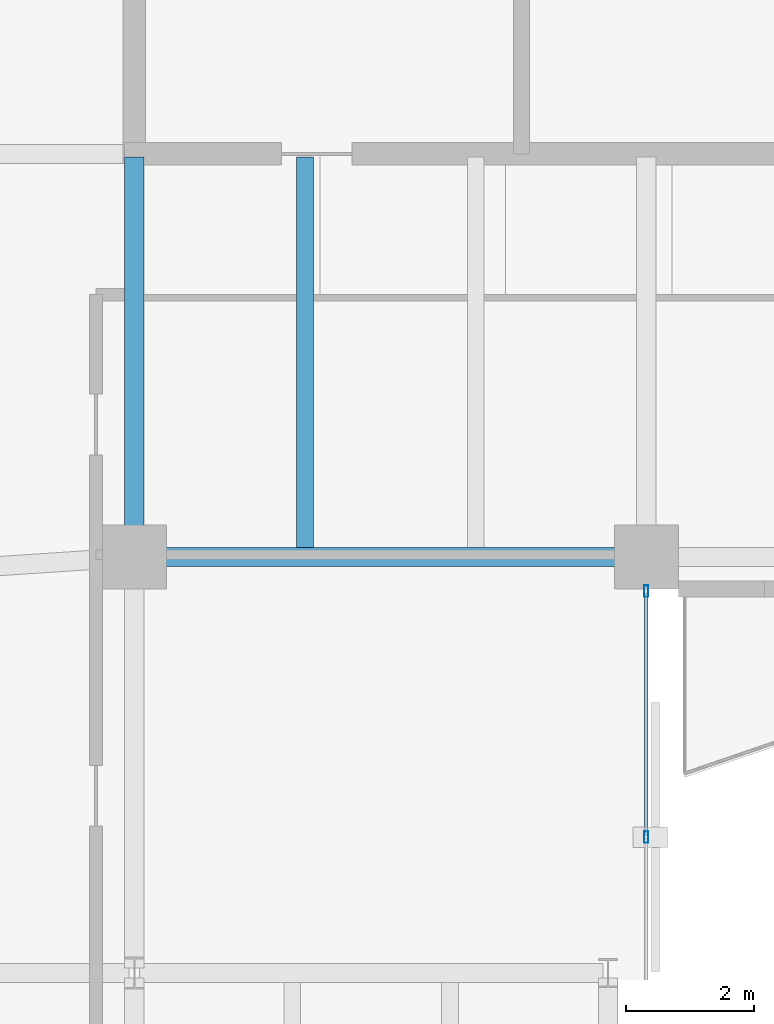
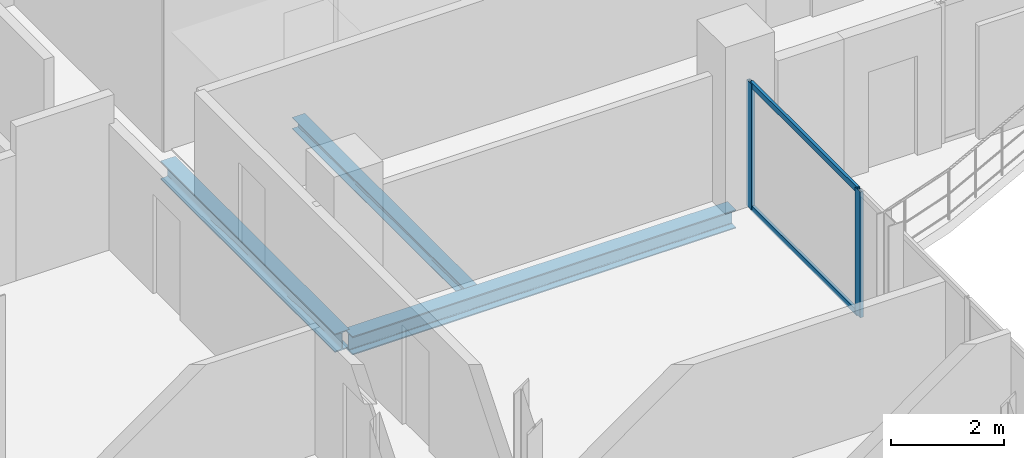
# One storey, part 10 of 23: 4 members, 3 beams, 1 element without a shape of its own.
"""IFC4 building model written with IfcOpenShell, lengths in metres."""

from ifc_helpers import new_model, si_unit, direction, frame, origin, origin_2d, place, context, subcontext, project, spatial, hollow_rectangle, i_section, extrude, material, layer, layer_set, material_profile, profile_set, type_object, element, aggregate, save


model = new_model("IFC4")

# Units and contexts
model_context = context("Model", 3, precision=1e-05, world=origin(), true_north=direction((0.0, 1.0)))
body_context = subcontext(model_context, "Body", "Model", "MODEL_VIEW")
ifc_project = project(units=[si_unit("LENGTHUNIT", "METRE"), si_unit("AREAUNIT", "SQUARE_METRE"), si_unit("VOLUMEUNIT", "CUBIC_METRE"), si_unit("PLANEANGLEUNIT", "RADIAN"), si_unit("MASSUNIT", "GRAM", prefix="KILO")], contexts=[model_context])

# Site, building, storey
site_placement = place(None, origin())
site = spatial("IfcSite", under=ifc_project, at=site_placement, CompositionType="ELEMENT")
building_placement = place(site_placement, origin())
building = spatial("IfcBuilding", under=site, at=building_placement, Name="Catumbela Crestline Tower", CompositionType="ELEMENT")
storey_placement = place(building_placement, frame((0.0, 0.0, 201.0)))
storey = spatial("IfcBuildingStorey", under=building, at=storey_placement, Name="L52", CompositionType="ELEMENT", Elevation=201.0)

# Beams
ifc_material_1 = material(Name="Structural steel S355J2", Category="steel")
ifc_material_profile_1 = material_profile(ifc_material_1, i_section(OverallWidth=0.3, OverallDepth=0.4, WebThickness=0.0135, FlangeThickness=0.024, FilletRadius=0.027, at=origin_2d()), Name="HEB 400")
ifc_profile_set_1 = profile_set([ifc_material_profile_1], Name="Structural steel S355J2")
beam_type_1 = type_object("IfcBeamType", Name="BG-HEB400", PredefinedType="BEAM", material=ifc_profile_set_1)
beam_1_placement = place(storey_placement, frame((16.08, 24.5, -0.46), z_axis=(1.0, 0.0, 0.0), x_axis=(0.0, 1.0, 0.0)))
element("IfcBeam", 1, at=beam_1_placement, inside=storey, type_object=beam_type_1, Name="L52 Beam BM-L52-S03", PredefinedType="BEAM", context=body_context, shape_type="SweptSolid", body=[
    extrude(i_section(OverallWidth=0.3, OverallDepth=0.4, WebThickness=0.0135, FlangeThickness=0.024, FilletRadius=0.027, at=origin_2d()), origin(), (0.0, 0.0, 1.0), 7.84),
])
beam_2_placement = place(storey_placement, frame((16.0, 24.58, -0.46), z_axis=(0.0, 1.0, 0.0), x_axis=(-1.0, 0.0, 0.0)))
element("IfcBeam", 2, at=beam_2_placement, inside=storey, type_object=beam_type_1, Name="L52 Beam BM-L52-SNS17", PredefinedType="BEAM", context=body_context, shape_type="SweptSolid", body=[
    extrude(i_section(OverallWidth=0.3, OverallDepth=0.4, WebThickness=0.0135, FlangeThickness=0.024, FilletRadius=0.027, at=origin_2d()), origin(), (0.0, 0.0, 1.0), 6.17),
])
ifc_material_profile_2 = material_profile(ifc_material_1, i_section(OverallWidth=0.26, OverallDepth=0.25, WebThickness=0.0075, FlangeThickness=0.0125, FilletRadius=0.024, at=origin_2d()), Name="HEA 260")
ifc_profile_set_2 = profile_set([ifc_material_profile_2], Name="Structural steel S355J2")
beam_type_2 = type_object("IfcBeamType", Name="BJ-HEA260", PredefinedType="JOIST", material=ifc_profile_set_2)
beam_3_placement = place(storey_placement, frame((18.667, 24.647, -0.385), z_axis=(0.0, 1.0, 0.0), x_axis=(-1.0, 0.0, 0.0)))
element("IfcBeam", 3, at=beam_3_placement, inside=storey, type_object=beam_type_2, Name="L52 Joist JS-L52-SP26", PredefinedType="JOIST", context=body_context, shape_type="SweptSolid", body=[
    extrude(i_section(OverallWidth=0.26, OverallDepth=0.25, WebThickness=0.0075, FlangeThickness=0.0125, FilletRadius=0.024, at=origin_2d()), origin(), (0.0, 0.0, 1.0), 6.103),
])

# Curtain wall, members
ifc_material_2 = material(Name="Aluminium alloy AW-6060-T66", Category="aluminium")
ifc_layer = layer(ifc_material_2, 0.18, Name="Aluminium alloy AW-6060-T66")
ifc_layer_set = layer_set([ifc_layer], Name="Aluminium alloy AW-6060-T66")
curtain_wall_type = type_object("IfcCurtainWallType", Name="CWU-Z3", PredefinedType="USERDEFINED", material=ifc_layer_set)
curtain_wall_placement = place(storey_placement, origin())
curtain_wall = element("IfcCurtainWall", 4, at=curtain_wall_placement, inside=storey, type_object=curtain_wall_type, Name="L52 Unitised Curtain Wall CW-L52-E2S1", ObjectType="UNITISED", PredefinedType="USERDEFINED")
ifc_material_profile_3 = material_profile(ifc_material_2, hollow_rectangle(XDim=0.065, YDim=0.18, WallThickness=0.004, at=origin_2d()), Name="ALU 180x65x4")
ifc_profile_set_3 = profile_set([ifc_material_profile_3], Name="Aluminium alloy AW-6060-T66")
member_type_1 = type_object("IfcMemberType", Name="MUL-180X65", PredefinedType="MULLION", material=ifc_profile_set_3)
member_1_placement = place(storey_placement, frame((24.0, 20.125, 0.0), z_axis=(0.0, 0.0, 1.0), x_axis=(-1.0, 0.0, 0.0)))
member_1 = element("IfcMember", 5, at=member_1_placement, type_object=member_type_1, Name="CWU-Z3 mullion 4", PredefinedType="MULLION", context=body_context, shape_type="SweptSolid", body=[
    extrude(hollow_rectangle(XDim=0.065, YDim=0.18, WallThickness=0.004, at=origin_2d()), origin(), (0.0, 0.0, 1.0), 2.72),
])
member_2_placement = place(storey_placement, frame((24.0, 23.9675, 0.0), z_axis=(0.0, 0.0, 1.0), x_axis=(-1.0, 0.0, 0.0)))
member_2 = element("IfcMember", 6, at=member_2_placement, type_object=member_type_1, Name="CWU-Z3 mullion 5", PredefinedType="MULLION", context=body_context, shape_type="SweptSolid", body=[
    extrude(hollow_rectangle(XDim=0.065, YDim=0.18, WallThickness=0.004, at=origin_2d()), origin(), (0.0, 0.0, 1.0), 2.72),
])
ifc_material_profile_4 = material_profile(ifc_material_2, hollow_rectangle(XDim=0.06, YDim=0.12, WallThickness=0.0035, at=origin_2d()), Name="ALU 120x60x3.5")
ifc_profile_set_4 = profile_set([ifc_material_profile_4], Name="Aluminium alloy AW-6060-T66")
member_type_2 = type_object("IfcMemberType", Name="TRN-120X60", PredefinedType="USERDEFINED", material=ifc_profile_set_4)
member_3_placement = place(storey_placement, frame((24.0, 20.1575, 0.03), z_axis=(0.0, 1.0, 0.0), x_axis=(-1.0, 0.0, 0.0)))
member_3 = element("IfcMember", 7, at=member_3_placement, type_object=member_type_2, Name="CWU-Z3 transom 4.1", ObjectType="TRANSOM", PredefinedType="USERDEFINED", context=body_context, shape_type="SweptSolid", body=[
    extrude(hollow_rectangle(XDim=0.06, YDim=0.12, WallThickness=0.0035, at=origin_2d()), origin(), (0.0, 0.0, 1.0), 3.7775),
])
member_4_placement = place(storey_placement, frame((24.0, 20.1575, 2.69), z_axis=(0.0, 1.0, 0.0), x_axis=(-1.0, 0.0, 0.0)))
member_4 = element("IfcMember", 8, at=member_4_placement, type_object=member_type_2, Name="CWU-Z3 transom 4.2", ObjectType="TRANSOM", PredefinedType="USERDEFINED", context=body_context, shape_type="SweptSolid", body=[
    extrude(hollow_rectangle(XDim=0.06, YDim=0.12, WallThickness=0.0035, at=origin_2d()), origin(), (0.0, 0.0, 1.0), 3.7775),
])
aggregate(curtain_wall, [member_1, member_2, member_3, member_4])

save(model, "model.ifc")
